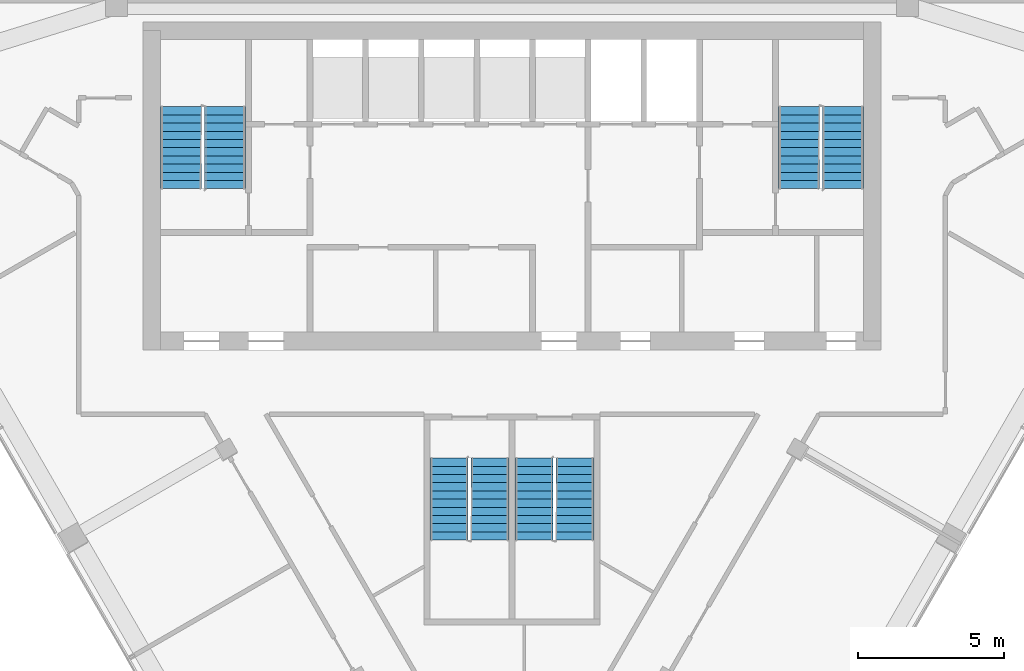
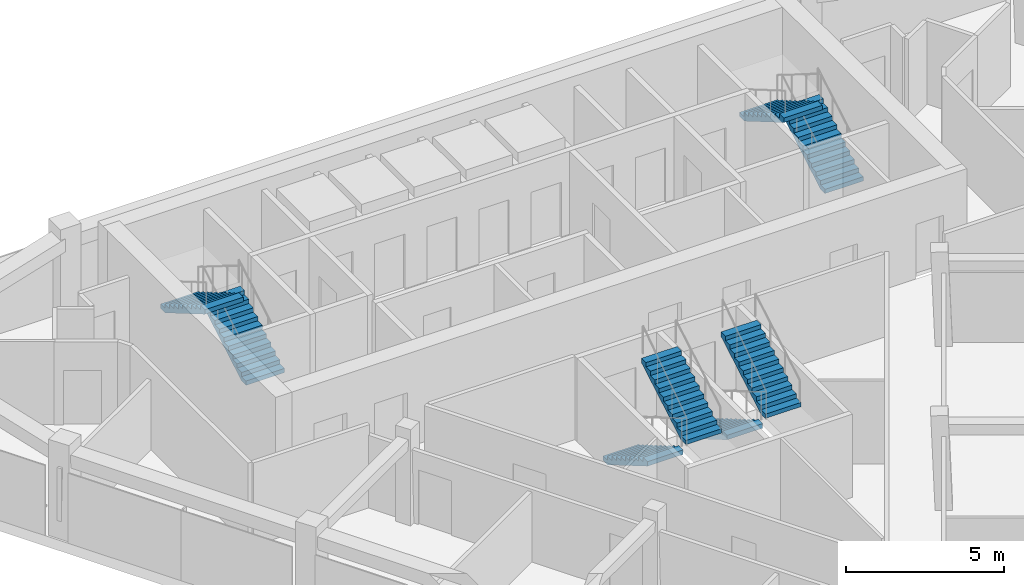
# One storey, part 10 of 12: 8 stair flights, 4 elements without a shape of their own.
"""IFC4 building model written with IfcOpenShell, lengths in metres."""

from ifc_helpers import new_model, si_unit, direction, frame, origin, place, context, subcontext, project, spatial, polyline, outline, extrude, material, type_object, element, aggregate, save


model = new_model("IFC4")

# Units and contexts
model_context = context("Model", 3, precision=1e-05, world=origin(), true_north=direction((0.0, 1.0)))
body_context = subcontext(model_context, "Body", "Model", "MODEL_VIEW")
ifc_project = project(units=[si_unit("LENGTHUNIT", "METRE"), si_unit("AREAUNIT", "SQUARE_METRE"), si_unit("VOLUMEUNIT", "CUBIC_METRE"), si_unit("PLANEANGLEUNIT", "RADIAN"), si_unit("MASSUNIT", "GRAM", prefix="KILO")], contexts=[model_context])

# Site, building, storey
site_placement = place(None, origin())
site = spatial("IfcSite", under=ifc_project, at=site_placement, CompositionType="ELEMENT")
building_placement = place(site_placement, origin())
building = spatial("IfcBuilding", under=site, at=building_placement, Name="Altiplano Prism Tower", CompositionType="ELEMENT")
storey_placement = place(building_placement, frame((0.0, 0.0, 253.60009765625)))
storey = spatial("IfcBuildingStorey", under=building, at=storey_placement, Name="L65", CompositionType="ELEMENT", Elevation=253.60009765625)

# Stair, stair flights
ifc_material = material(Name="Concrete C40/50", Category="concrete")
stair_type_1 = type_object("IfcStairType", Name="Exit stair 1400", PredefinedType="HALF_TURN_STAIR", material=ifc_material)
stair_1_placement = place(storey_placement, origin())
stair_1 = element("IfcStair", 1, at=stair_1_placement, inside=storey, type_object=stair_type_1, Name="L65 Exit Stair 1", PredefinedType="HALF_TURN_STAIR")
stair_flight_type = type_object("IfcStairFlightType", Name="Stair flight concrete 150", PredefinedType="STRAIGHT", material=ifc_material)
stair_flight_1_placement = place(storey_placement, frame((75.199951171875, 98.300048828125, 0.0), z_axis=(0.0, 0.0, 1.0), x_axis=(0.0, 1.0, 0.0)))
stair_flight_1 = element("IfcStairFlight", 2, at=stair_flight_1_placement, type_object=stair_flight_type, Name="ST1 flight 1", NumberOfRisers=11, NumberOfTreads=10, PredefinedType="STRAIGHT", RiserHeight=0.163636364, TreadLength=0.28, context=body_context, shape_type="SweptSolid", body=[
    extrude(outline(polyline([(0.0, 0.0), (0.0, 0.16357421875), (0.280029296875, 0.16357421875), (0.280029296875, 0.327392578125), (0.56005859375, 0.327392578125), (0.56005859375, 0.490966796875), (0.840087890625, 0.490966796875), (0.840087890625, 0.654541015625), (1.1201171875, 0.654541015625), (1.1201171875, 0.818115234375), (1.39990234375, 0.818115234375), (1.39990234375, 0.98193359375), (1.679931640625, 0.98193359375), (1.679931640625, 1.1455078125), (1.9599609375, 1.1455078125), (1.9599609375, 1.30908203125), (2.239990234375, 1.30908203125), (2.239990234375, 1.47265625), (2.52001953125, 1.47265625), (2.52001953125, 1.636474609375), (2.800048828125, 1.636474609375), (2.800048828125, 1.800048828125), (2.800048828125, 1.462646484375), (0.297119140625, 0.0), (0.0, 0.0)])), frame((0.0, 0.699951171875, 0.0), z_axis=(0.0, -1.0, 0.0), x_axis=(1.0, 0.0, 0.0)), (0.0, 0.0, 1.0), 1.39990234375),
])
stair_flight_2_placement = place(storey_placement, frame((73.699951171875, 101.10009765625, 1.7998046875), z_axis=(0.0, 0.0, 1.0), x_axis=(0.0, -1.0, 0.0)))
stair_flight_2 = element("IfcStairFlight", 3, at=stair_flight_2_placement, type_object=stair_flight_type, Name="ST1 flight 2", NumberOfRisers=11, NumberOfTreads=10, PredefinedType="STRAIGHT", RiserHeight=0.163636364, TreadLength=0.28, context=body_context, shape_type="SweptSolid", body=[
    extrude(outline(polyline([(0.0, 0.0), (0.0, 0.16357421875), (0.280029296875, 0.16357421875), (0.280029296875, 0.327392578125), (0.56005859375, 0.327392578125), (0.56005859375, 0.490966796875), (0.840087890625, 0.490966796875), (0.840087890625, 0.654541015625), (1.1201171875, 0.654541015625), (1.1201171875, 0.818115234375), (1.39990234375, 0.818115234375), (1.39990234375, 0.98193359375), (1.679931640625, 0.98193359375), (1.679931640625, 1.1455078125), (1.9599609375, 1.1455078125), (1.9599609375, 1.30908203125), (2.239990234375, 1.30908203125), (2.239990234375, 1.47265625), (2.52001953125, 1.47265625), (2.52001953125, 1.636474609375), (2.800048828125, 1.636474609375), (2.800048828125, 1.800048828125), (2.800048828125, 1.462646484375), (0.297119140625, 0.0), (0.0, 0.0)])), frame((0.0, 0.699951171875, 0.0), z_axis=(0.0, -1.0, 0.0), x_axis=(1.0, 0.0, 0.0)), (0.0, 0.0, 1.0), 1.39990234375),
])
aggregate(stair_1, [stair_flight_1, stair_flight_2])

stair_2_placement = place(storey_placement, origin())
stair_2 = element("IfcStair", 4, at=stair_2_placement, inside=storey, type_object=stair_type_1, Name="L65 Exit Stair 2", PredefinedType="HALF_TURN_STAIR")
stair_flight_3_placement = place(storey_placement, frame((96.300048828125, 98.300048828125, 0.0), z_axis=(0.0, 0.0, 1.0), x_axis=(0.0, 1.0, 0.0)))
stair_flight_3 = element("IfcStairFlight", 5, at=stair_flight_3_placement, type_object=stair_flight_type, Name="ST2 flight 1", NumberOfRisers=11, NumberOfTreads=10, PredefinedType="STRAIGHT", RiserHeight=0.163636364, TreadLength=0.28, context=body_context, shape_type="SweptSolid", body=[
    extrude(outline(polyline([(0.0, 0.0), (0.0, 0.16357421875), (0.280029296875, 0.16357421875), (0.280029296875, 0.327392578125), (0.56005859375, 0.327392578125), (0.56005859375, 0.490966796875), (0.840087890625, 0.490966796875), (0.840087890625, 0.654541015625), (1.1201171875, 0.654541015625), (1.1201171875, 0.818115234375), (1.39990234375, 0.818115234375), (1.39990234375, 0.98193359375), (1.679931640625, 0.98193359375), (1.679931640625, 1.1455078125), (1.9599609375, 1.1455078125), (1.9599609375, 1.30908203125), (2.239990234375, 1.30908203125), (2.239990234375, 1.47265625), (2.52001953125, 1.47265625), (2.52001953125, 1.636474609375), (2.800048828125, 1.636474609375), (2.800048828125, 1.800048828125), (2.800048828125, 1.462646484375), (0.297119140625, 0.0), (0.0, 0.0)])), frame((0.0, 0.699951171875, 0.0), z_axis=(0.0, -1.0, 0.0), x_axis=(1.0, 0.0, 0.0)), (0.0, 0.0, 1.0), 1.39990234375),
])
stair_flight_4_placement = place(storey_placement, frame((94.800048828125, 101.10009765625, 1.7998046875), z_axis=(0.0, 0.0, 1.0), x_axis=(0.0, -1.0, 0.0)))
stair_flight_4 = element("IfcStairFlight", 6, at=stair_flight_4_placement, type_object=stair_flight_type, Name="ST2 flight 2", NumberOfRisers=11, NumberOfTreads=10, PredefinedType="STRAIGHT", RiserHeight=0.163636364, TreadLength=0.28, context=body_context, shape_type="SweptSolid", body=[
    extrude(outline(polyline([(0.0, 0.0), (0.0, 0.16357421875), (0.280029296875, 0.16357421875), (0.280029296875, 0.327392578125), (0.56005859375, 0.327392578125), (0.56005859375, 0.490966796875), (0.840087890625, 0.490966796875), (0.840087890625, 0.654541015625), (1.1201171875, 0.654541015625), (1.1201171875, 0.818115234375), (1.39990234375, 0.818115234375), (1.39990234375, 0.98193359375), (1.679931640625, 0.98193359375), (1.679931640625, 1.1455078125), (1.9599609375, 1.1455078125), (1.9599609375, 1.30908203125), (2.239990234375, 1.30908203125), (2.239990234375, 1.47265625), (2.52001953125, 1.47265625), (2.52001953125, 1.636474609375), (2.800048828125, 1.636474609375), (2.800048828125, 1.800048828125), (2.800048828125, 1.462646484375), (0.297119140625, 0.0), (0.0, 0.0)])), frame((0.0, 0.699951171875, 0.0), z_axis=(0.0, -1.0, 0.0), x_axis=(1.0, 0.0, 0.0)), (0.0, 0.0, 1.0), 1.39990234375),
])
aggregate(stair_2, [stair_flight_3, stair_flight_4])

stair_type_2 = type_object("IfcStairType", Name="Exit stair 1300", PredefinedType="HALF_TURN_STAIR", material=ifc_material)
stair_3_placement = place(storey_placement, origin())
stair_3 = element("IfcStair", 7, at=stair_3_placement, inside=storey, type_object=stair_type_2, Name="L65 Exit Stair 3A", PredefinedType="HALF_TURN_STAIR")
stair_flight_5_placement = place(storey_placement, frame((82.85009765625, 89.10009765625, 0.0), z_axis=(0.0, 0.0, 1.0), x_axis=(0.0, -1.0, 0.0)))
stair_flight_5 = element("IfcStairFlight", 8, at=stair_flight_5_placement, type_object=stair_flight_type, Name="ST3A flight 1", NumberOfRisers=11, NumberOfTreads=10, PredefinedType="STRAIGHT", RiserHeight=0.163636364, TreadLength=0.28, context=body_context, shape_type="SweptSolid", body=[
    extrude(outline(polyline([(0.0, 0.0), (0.0, 0.16357421875), (0.280029296875, 0.16357421875), (0.280029296875, 0.327392578125), (0.56005859375, 0.327392578125), (0.56005859375, 0.490966796875), (0.840087890625, 0.490966796875), (0.840087890625, 0.654541015625), (1.1201171875, 0.654541015625), (1.1201171875, 0.818115234375), (1.39990234375, 0.818115234375), (1.39990234375, 0.98193359375), (1.679931640625, 0.98193359375), (1.679931640625, 1.1455078125), (1.9599609375, 1.1455078125), (1.9599609375, 1.30908203125), (2.239990234375, 1.30908203125), (2.239990234375, 1.47265625), (2.52001953125, 1.47265625), (2.52001953125, 1.636474609375), (2.800048828125, 1.636474609375), (2.800048828125, 1.800048828125), (2.800048828125, 1.462646484375), (0.297119140625, 0.0), (0.0, 0.0)])), frame((0.0, 0.64990234375, 0.0), z_axis=(0.0, -1.0, 0.0), x_axis=(1.0, 0.0, 0.0)), (0.0, 0.0, 1.0), 1.300048828125),
])
stair_flight_6_placement = place(storey_placement, frame((84.25, 86.300048828125, 1.7998046875), z_axis=(0.0, 0.0, 1.0), x_axis=(0.0, 1.0, 0.0)))
stair_flight_6 = element("IfcStairFlight", 9, at=stair_flight_6_placement, type_object=stair_flight_type, Name="ST3A flight 2", NumberOfRisers=11, NumberOfTreads=10, PredefinedType="STRAIGHT", RiserHeight=0.163636364, TreadLength=0.28, context=body_context, shape_type="SweptSolid", body=[
    extrude(outline(polyline([(0.0, 0.0), (0.0, 0.16357421875), (0.280029296875, 0.16357421875), (0.280029296875, 0.327392578125), (0.56005859375, 0.327392578125), (0.56005859375, 0.490966796875), (0.840087890625, 0.490966796875), (0.840087890625, 0.654541015625), (1.1201171875, 0.654541015625), (1.1201171875, 0.818115234375), (1.39990234375, 0.818115234375), (1.39990234375, 0.98193359375), (1.679931640625, 0.98193359375), (1.679931640625, 1.1455078125), (1.9599609375, 1.1455078125), (1.9599609375, 1.30908203125), (2.239990234375, 1.30908203125), (2.239990234375, 1.47265625), (2.52001953125, 1.47265625), (2.52001953125, 1.636474609375), (2.800048828125, 1.636474609375), (2.800048828125, 1.800048828125), (2.800048828125, 1.462646484375), (0.297119140625, 0.0), (0.0, 0.0)])), frame((0.0, 0.64990234375, 0.0), z_axis=(0.0, -1.0, 0.0), x_axis=(1.0, 0.0, 0.0)), (0.0, 0.0, 1.0), 1.300048828125),
])
aggregate(stair_3, [stair_flight_5, stair_flight_6])

stair_4_placement = place(storey_placement, origin())
stair_4 = element("IfcStair", 10, at=stair_4_placement, inside=storey, type_object=stair_type_2, Name="L65 Exit Stair 3B", PredefinedType="HALF_TURN_STAIR")
stair_flight_7_placement = place(storey_placement, frame((85.75, 89.10009765625, 0.0), z_axis=(0.0, 0.0, 1.0), x_axis=(0.0, -1.0, 0.0)))
stair_flight_7 = element("IfcStairFlight", 11, at=stair_flight_7_placement, type_object=stair_flight_type, Name="ST3B flight 1", NumberOfRisers=11, NumberOfTreads=10, PredefinedType="STRAIGHT", RiserHeight=0.163636364, TreadLength=0.28, context=body_context, shape_type="SweptSolid", body=[
    extrude(outline(polyline([(0.0, 0.0), (0.0, 0.16357421875), (0.280029296875, 0.16357421875), (0.280029296875, 0.327392578125), (0.56005859375, 0.327392578125), (0.56005859375, 0.490966796875), (0.840087890625, 0.490966796875), (0.840087890625, 0.654541015625), (1.1201171875, 0.654541015625), (1.1201171875, 0.818115234375), (1.39990234375, 0.818115234375), (1.39990234375, 0.98193359375), (1.679931640625, 0.98193359375), (1.679931640625, 1.1455078125), (1.9599609375, 1.1455078125), (1.9599609375, 1.30908203125), (2.239990234375, 1.30908203125), (2.239990234375, 1.47265625), (2.52001953125, 1.47265625), (2.52001953125, 1.636474609375), (2.800048828125, 1.636474609375), (2.800048828125, 1.800048828125), (2.800048828125, 1.462646484375), (0.297119140625, 0.0), (0.0, 0.0)])), frame((0.0, 0.64990234375, 0.0), z_axis=(0.0, -1.0, 0.0), x_axis=(1.0, 0.0, 0.0)), (0.0, 0.0, 1.0), 1.300048828125),
])
stair_flight_8_placement = place(storey_placement, frame((87.14990234375, 86.300048828125, 1.7998046875), z_axis=(0.0, 0.0, 1.0), x_axis=(0.0, 1.0, 0.0)))
stair_flight_8 = element("IfcStairFlight", 12, at=stair_flight_8_placement, type_object=stair_flight_type, Name="ST3B flight 2", NumberOfRisers=11, NumberOfTreads=10, PredefinedType="STRAIGHT", RiserHeight=0.163636364, TreadLength=0.28, context=body_context, shape_type="SweptSolid", body=[
    extrude(outline(polyline([(0.0, 0.0), (0.0, 0.16357421875), (0.280029296875, 0.16357421875), (0.280029296875, 0.327392578125), (0.56005859375, 0.327392578125), (0.56005859375, 0.490966796875), (0.840087890625, 0.490966796875), (0.840087890625, 0.654541015625), (1.1201171875, 0.654541015625), (1.1201171875, 0.818115234375), (1.39990234375, 0.818115234375), (1.39990234375, 0.98193359375), (1.679931640625, 0.98193359375), (1.679931640625, 1.1455078125), (1.9599609375, 1.1455078125), (1.9599609375, 1.30908203125), (2.239990234375, 1.30908203125), (2.239990234375, 1.47265625), (2.52001953125, 1.47265625), (2.52001953125, 1.636474609375), (2.800048828125, 1.636474609375), (2.800048828125, 1.800048828125), (2.800048828125, 1.462646484375), (0.297119140625, 0.0), (0.0, 0.0)])), frame((0.0, 0.64990234375, 0.0), z_axis=(0.0, -1.0, 0.0), x_axis=(1.0, 0.0, 0.0)), (0.0, 0.0, 1.0), 1.300048828125),
])
aggregate(stair_4, [stair_flight_7, stair_flight_8])

save(model, "model.ifc")
